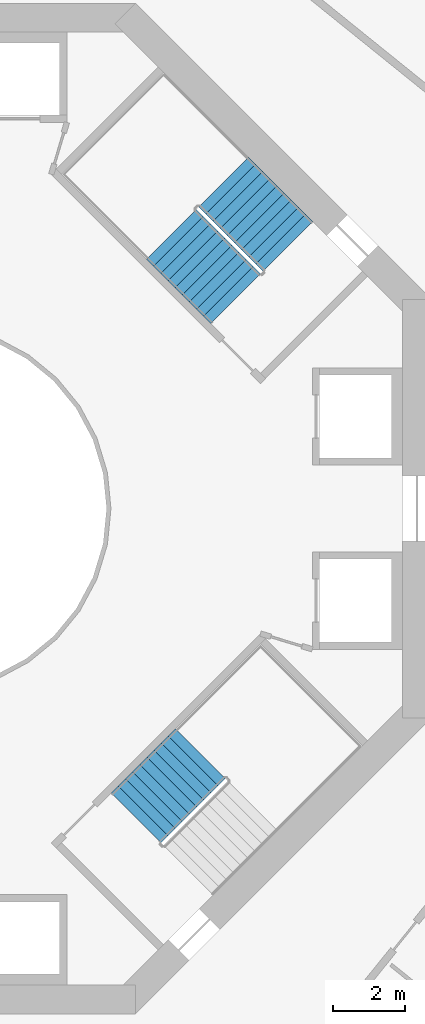
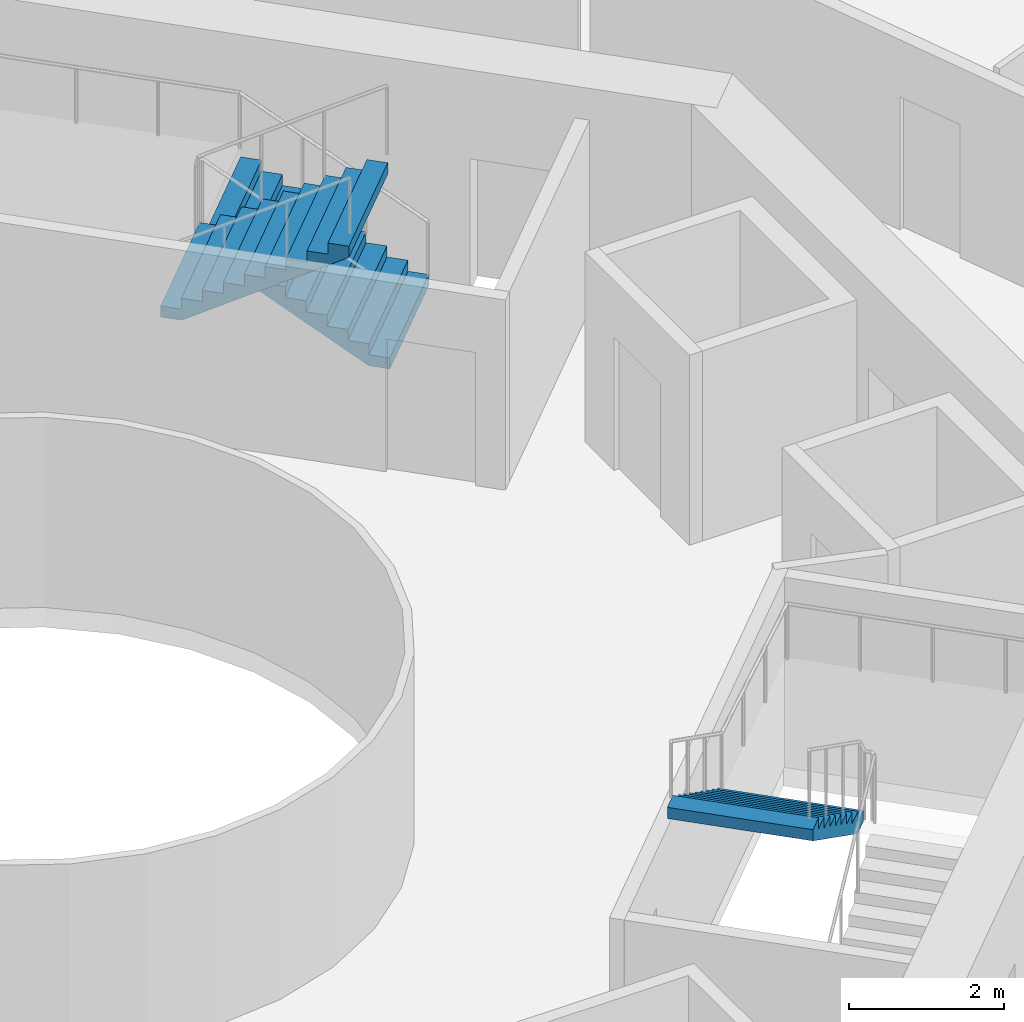
# One storey, part 22 of 23: 3 stair flights, 2 elements without a shape of their own.
"""IFC4 building model written with IfcOpenShell, lengths in metres."""

from ifc_helpers import new_model, si_unit, direction, frame, origin, place, context, subcontext, project, spatial, triangles, material, type_object, element, aggregate, save


model = new_model("IFC4")

# Units and contexts
model_context = context("Model", 3, precision=1e-05, world=origin(), true_north=direction((0.0, 1.0)))
body_context = subcontext(model_context, "Body", "Model", "MODEL_VIEW")
ifc_project = project(units=[si_unit("LENGTHUNIT", "METRE"), si_unit("AREAUNIT", "SQUARE_METRE"), si_unit("VOLUMEUNIT", "CUBIC_METRE"), si_unit("PLANEANGLEUNIT", "RADIAN"), si_unit("MASSUNIT", "GRAM", prefix="KILO")], contexts=[model_context])

# Site, building, storey
site_placement = place(None, origin())
site = spatial("IfcSite", under=ifc_project, at=site_placement, CompositionType="ELEMENT")
building_placement = place(site_placement, origin())
building = spatial("IfcBuilding", under=site, at=building_placement, Name="Verdalira Terraces Hotel", CompositionType="ELEMENT")
storey_placement = place(building_placement, frame((0.0, 0.0, 118.5)))
storey = spatial("IfcBuildingStorey", under=building, at=storey_placement, Name="L28", CompositionType="ELEMENT", Elevation=118.5)

# Stair, stair flights
ifc_material_1 = material(Name="Concrete C40", Category="concrete")
stair_type = type_object("IfcStairType", Name="Core stair 20 risers 1950 mm wide", PredefinedType="HALF_TURN_STAIR", material=ifc_material_1)
stair_1_placement = place(storey_placement, origin())
stair_1 = element("IfcStair", 1, at=stair_1_placement, inside=storey, type_object=stair_type, Name="L28 Exit stair ST1", PredefinedType="HALF_TURN_STAIR")
ifc_material_2 = material(Name="Concrete C40", Category="concrete")
stair_flight_type = type_object("IfcStairFlightType", Name="Core stair flight 20 risers 1950 mm wide", PredefinedType="STRAIGHT", material=ifc_material_2)
stair_flight_1_placement = place(storey_placement, frame((10.023193, 7.265625, 0.0), z_axis=(0.0, 0.0, 1.0), x_axis=(-0.707106781, 0.707106781, 0.0)))
stair_flight_1 = element("IfcStairFlight", 2, at=stair_flight_1_placement, type_object=stair_flight_type, Name="ST1 flight 1", NumberOfRisers=10, NumberOfTreads=9, PredefinedType="STRAIGHT", RiserHeight=0.175, TreadLength=0.28, context=body_context, shape_type="Tessellation", body=[
    triangles([(0.0, 0.974976, 0.0), (0.282715, 0.974976, 0.0), (2.52002, 0.974976, 1.398193), (0.0, -0.974976, 0.0), (0.282715, -0.974976, 0.0), (2.52002, -0.974976, 1.398193), (2.52002, 0.974976, 1.574951), (2.23999, 0.974976, 1.574951), (2.52002, -0.974976, 1.574951), (2.23999, -0.974976, 1.574951), (2.23999, 0.974976, 1.399902), (2.23999, -0.974976, 1.399902), (1.959961, 0.974976, 1.399902), (1.959961, -0.974976, 1.399902), (1.959961, 0.974976, 1.225098), (1.959961, -0.974976, 1.225098), (1.679932, 0.974976, 1.225098), (1.679932, 0.974976, 1.050049), (1.679932, -0.974976, 1.225098), (1.679932, -0.974976, 1.050049), (1.399902, 0.974976, 1.050049), (1.399902, 0.974976, 0.875), (1.399902, -0.974976, 1.050049), (1.399902, -0.974976, 0.875), (1.120117, 0.974976, 0.875), (1.120117, 0.974976, 0.699951), (1.120117, -0.974976, 0.875), (1.120117, -0.974976, 0.699951), (0.840088, 0.974976, 0.699951), (0.840088, 0.974976, 0.524902), (0.840088, -0.974976, 0.699951), (0.840088, -0.974976, 0.524902), (0.560059, 0.974976, 0.524902), (0.560059, 0.974976, 0.350098), (0.560059, -0.974976, 0.524902), (0.560059, -0.974976, 0.350098), (0.280029, 0.974976, 0.350098), (0.280029, 0.974976, 0.175049), (0.280029, -0.974976, 0.350098), (0.280029, -0.974976, 0.175049), (0.0, 0.974976, 0.175049), (0.0, -0.974976, 0.175049), (0.0, -0.91404, 0.0), (0.0, -0.91404, 0.175049), (0.0, -0.853104, 0.0), (0.0, -0.853104, 0.175049), (0.0, -0.792168, 0.0), (0.0, -0.792168, 0.175049), (0.0, -0.731232, 0.0), (0.0, -0.731232, 0.175049), (0.0, -0.670296, 0.0), (0.0, -0.670296, 0.175049), (0.0, -0.60936, 0.0), (0.0, -0.60936, 0.175049), (0.0, -0.548424, 0.0), (0.0, -0.548424, 0.175049), (0.0, -0.487488, 0.0), (0.0, -0.487488, 0.175049), (0.0, -0.426552, 0.0), (0.0, -0.426552, 0.175049), (0.0, -0.365616, 0.0), (0.0, -0.365616, 0.175049), (0.0, -0.30468, 0.0), (0.0, -0.30468, 0.175049), (0.0, -0.243744, 0.0), (0.0, -0.243744, 0.175049), (0.0, -0.182808, 0.0), (0.0, -0.182808, 0.175049), (0.0, -0.121872, 0.0), (0.0, -0.121872, 0.175049), (0.0, -0.060936, 0.0), (0.0, -0.060936, 0.175049), (0.0, 0.0, 0.0), (0.0, 0.0, 0.175049), (0.0, 0.060936, 0.0), (0.0, 0.060936, 0.175049), (0.0, 0.121872, 0.0), (0.0, 0.121872, 0.175049), (0.0, 0.182808, 0.0), (0.0, 0.182808, 0.175049), (0.0, 0.243744, 0.0), (0.0, 0.243744, 0.175049), (0.0, 0.30468, 0.0), (0.0, 0.30468, 0.175049), (0.0, 0.365616, 0.0), (0.0, 0.365616, 0.175049), (0.0, 0.426552, 0.0), (0.0, 0.426552, 0.175049), (0.0, 0.487488, 0.0), (0.0, 0.487488, 0.175049), (0.0, 0.548424, 0.0), (0.0, 0.548424, 0.175049), (0.0, 0.60936, 0.0), (0.0, 0.60936, 0.175049), (0.0, 0.670296, 0.0), (0.0, 0.670296, 0.175049), (0.0, 0.731232, 0.0), (0.0, 0.731232, 0.175049), (0.0, 0.792168, 0.0), (0.0, 0.792168, 0.175049), (0.0, 0.853104, 0.0), (0.0, 0.853104, 0.175049), (0.0, 0.91404, 0.0), (0.0, 0.91404, 0.175049), (2.52002, -0.91404, 1.574951), (2.52002, -0.853104, 1.574951), (2.52002, -0.792168, 1.574951), (2.52002, -0.731232, 1.574951), (2.52002, -0.670296, 1.574951), (2.52002, -0.60936, 1.574951), (2.52002, -0.548424, 1.574951), (2.52002, -0.487488, 1.574951), (2.52002, -0.426552, 1.574951), (2.52002, -0.365616, 1.574951), (2.52002, -0.30468, 1.574951), (2.52002, -0.243744, 1.574951), (2.52002, -0.182808, 1.574951), (2.52002, -0.121872, 1.574951), (2.52002, -0.060936, 1.574951), (2.52002, 0.0, 1.574951), (2.52002, 0.060936, 1.574951), (2.52002, 0.121872, 1.574951), (2.52002, 0.182808, 1.574951), (2.52002, 0.243744, 1.574951), (2.52002, 0.30468, 1.574951), (2.52002, 0.365616, 1.574951), (2.52002, 0.426552, 1.574951), (2.52002, 0.487488, 1.574951), (2.52002, 0.548424, 1.574951), (2.52002, 0.60936, 1.574951), (2.52002, 0.670296, 1.574951), (2.52002, 0.731232, 1.574951), (2.52002, 0.792168, 1.574951), (2.52002, 0.853104, 1.574951), (2.52002, 0.91404, 1.574951), (2.52002, -0.91404, 1.398193), (2.52002, -0.853104, 1.398193), (2.52002, -0.792168, 1.398193), (2.52002, -0.731232, 1.398193), (2.52002, -0.670296, 1.398193), (2.52002, -0.60936, 1.398193), (2.52002, -0.548424, 1.398193), (2.52002, -0.487488, 1.398193), (2.52002, -0.426552, 1.398193), (2.52002, -0.365616, 1.398193), (2.52002, -0.30468, 1.398193), (2.52002, -0.243744, 1.398193), (2.52002, -0.182808, 1.398193), (2.52002, -0.121872, 1.398193), (2.52002, -0.060936, 1.398193), (2.52002, 0.0, 1.398193), (2.52002, 0.060936, 1.398193), (2.52002, 0.121872, 1.398193), (2.52002, 0.182808, 1.398193), (2.52002, 0.243744, 1.398193), (2.52002, 0.30468, 1.398193), (2.52002, 0.365616, 1.398193), (2.52002, 0.426552, 1.398193), (2.52002, 0.487488, 1.398193), (2.52002, 0.548424, 1.398193), (2.52002, 0.60936, 1.398193), (2.52002, 0.670296, 1.398193), (2.52002, 0.731232, 1.398193), (2.52002, 0.792168, 1.398193), (2.52002, 0.853104, 1.398193), (2.52002, 0.91404, 1.398193)], [[1, 3, 2], [4, 5, 6], [3, 8, 7], [6, 9, 10], [3, 11, 8], [6, 10, 12], [3, 13, 11], [6, 12, 14], [3, 15, 13], [6, 14, 16], [15, 18, 17], [16, 19, 20], [3, 18, 15], [6, 16, 20], [18, 22, 21], [20, 23, 24], [3, 22, 18], [6, 20, 24], [22, 26, 25], [24, 27, 28], [3, 26, 22], [6, 24, 28], [26, 30, 29], [28, 31, 32], [3, 30, 26], [6, 28, 32], [1, 30, 3], [4, 6, 32], [30, 34, 33], [32, 35, 36], [34, 38, 37], [36, 39, 40], [30, 38, 34], [32, 36, 40], [1, 38, 30], [4, 32, 40], [38, 1, 41], [40, 42, 4], [4, 44, 43], [4, 42, 44], [43, 46, 45], [43, 44, 46], [45, 48, 47], [45, 46, 48], [47, 50, 49], [47, 48, 50], [49, 52, 51], [49, 50, 52], [51, 54, 53], [51, 52, 54], [53, 56, 55], [53, 54, 56], [55, 58, 57], [55, 56, 58], [57, 60, 59], [57, 58, 60], [59, 62, 61], [59, 60, 62], [61, 64, 63], [61, 62, 64], [63, 66, 65], [63, 64, 66], [65, 68, 67], [65, 66, 68], [67, 70, 69], [67, 68, 70], [69, 72, 71], [69, 70, 72], [71, 74, 73], [71, 72, 74], [73, 76, 75], [73, 74, 76], [75, 78, 77], [75, 76, 78], [77, 80, 79], [77, 78, 80], [79, 82, 81], [79, 80, 82], [81, 84, 83], [81, 82, 84], [83, 86, 85], [83, 84, 86], [85, 88, 87], [85, 86, 88], [87, 90, 89], [87, 88, 90], [89, 92, 91], [89, 90, 92], [91, 94, 93], [91, 92, 94], [93, 96, 95], [93, 94, 96], [95, 98, 97], [95, 96, 98], [97, 100, 99], [97, 98, 100], [99, 102, 101], [99, 100, 102], [101, 104, 103], [101, 102, 104], [103, 41, 1], [103, 104, 41], [42, 40, 44], [44, 40, 46], [46, 40, 48], [48, 40, 50], [50, 40, 52], [52, 40, 54], [54, 40, 56], [56, 40, 58], [58, 40, 60], [60, 40, 62], [62, 40, 64], [64, 40, 66], [66, 40, 68], [68, 40, 70], [70, 40, 72], [72, 40, 74], [74, 40, 76], [76, 40, 78], [78, 40, 80], [80, 40, 82], [82, 40, 84], [84, 40, 86], [86, 40, 88], [88, 40, 90], [90, 40, 92], [92, 40, 94], [94, 40, 96], [96, 40, 98], [98, 40, 100], [100, 40, 102], [102, 40, 104], [104, 40, 41], [41, 40, 38], [40, 37, 38], [40, 39, 37], [39, 34, 37], [39, 36, 34], [36, 33, 34], [36, 35, 33], [35, 30, 33], [35, 32, 30], [32, 29, 30], [32, 31, 29], [31, 26, 29], [31, 28, 26], [28, 25, 26], [28, 27, 25], [27, 22, 25], [27, 24, 22], [24, 21, 22], [24, 23, 21], [23, 18, 21], [23, 20, 18], [20, 17, 18], [20, 19, 17], [19, 15, 17], [19, 16, 15], [16, 13, 15], [16, 14, 13], [14, 11, 13], [14, 12, 11], [12, 8, 11], [12, 10, 8], [9, 105, 10], [105, 106, 10], [106, 107, 10], [107, 108, 10], [108, 109, 10], [109, 110, 10], [110, 111, 10], [111, 112, 10], [112, 113, 10], [113, 114, 10], [114, 115, 10], [115, 116, 10], [116, 117, 10], [117, 118, 10], [118, 119, 10], [119, 120, 10], [120, 121, 10], [121, 122, 10], [122, 123, 10], [123, 124, 10], [124, 125, 10], [125, 126, 10], [126, 127, 10], [127, 128, 10], [128, 129, 10], [129, 130, 10], [130, 131, 10], [131, 132, 10], [132, 133, 10], [133, 134, 10], [134, 135, 10], [135, 7, 10], [7, 8, 10], [9, 136, 105], [9, 6, 136], [105, 137, 106], [105, 136, 137], [106, 138, 107], [106, 137, 138], [107, 139, 108], [107, 138, 139], [108, 140, 109], [108, 139, 140], [109, 141, 110], [109, 140, 141], [110, 142, 111], [110, 141, 142], [111, 143, 112], [111, 142, 143], [112, 144, 113], [112, 143, 144], [113, 145, 114], [113, 144, 145], [114, 146, 115], [114, 145, 146], [115, 147, 116], [115, 146, 147], [116, 148, 117], [116, 147, 148], [117, 149, 118], [117, 148, 149], [118, 150, 119], [118, 149, 150], [119, 151, 120], [119, 150, 151], [120, 152, 121], [120, 151, 152], [121, 153, 122], [121, 152, 153], [122, 154, 123], [122, 153, 154], [123, 155, 124], [123, 154, 155], [124, 156, 125], [124, 155, 156], [125, 157, 126], [125, 156, 157], [126, 158, 127], [126, 157, 158], [127, 159, 128], [127, 158, 159], [128, 160, 129], [128, 159, 160], [129, 161, 130], [129, 160, 161], [130, 162, 131], [130, 161, 162], [131, 163, 132], [131, 162, 163], [132, 164, 133], [132, 163, 164], [133, 165, 134], [133, 164, 165], [134, 166, 135], [134, 165, 166], [135, 3, 7], [135, 166, 3], [6, 5, 136], [136, 5, 137], [137, 5, 138], [138, 5, 139], [139, 5, 140], [140, 5, 141], [141, 5, 142], [142, 5, 143], [143, 5, 144], [144, 5, 145], [145, 5, 146], [146, 5, 147], [147, 5, 148], [148, 5, 149], [149, 5, 150], [150, 5, 151], [151, 5, 152], [152, 5, 153], [153, 5, 154], [154, 5, 155], [155, 5, 156], [156, 5, 157], [157, 5, 158], [158, 5, 159], [159, 5, 160], [160, 5, 161], [161, 5, 162], [162, 5, 163], [163, 5, 164], [164, 5, 165], [165, 5, 166], [166, 5, 3], [3, 5, 2], [4, 43, 5], [43, 45, 5], [45, 47, 5], [47, 49, 5], [49, 51, 5], [51, 53, 5], [53, 55, 5], [55, 57, 5], [57, 59, 5], [59, 61, 5], [61, 63, 5], [63, 65, 5], [65, 67, 5], [67, 69, 5], [69, 71, 5], [71, 73, 5], [73, 75, 5], [75, 77, 5], [77, 79, 5], [79, 81, 5], [81, 83, 5], [83, 85, 5], [85, 87, 5], [87, 89, 5], [89, 91, 5], [91, 93, 5], [93, 95, 5], [95, 97, 5], [97, 99, 5], [99, 101, 5], [101, 103, 5], [103, 1, 5], [1, 2, 5]], closed=True),
])
stair_flight_2_placement = place(storey_placement, frame((6.791748, 7.5979, 1.75), z_axis=(0.0, 0.0, 1.0), x_axis=(0.707106781, -0.707106781, 0.0)))
stair_flight_2 = element("IfcStairFlight", 3, at=stair_flight_2_placement, type_object=stair_flight_type, Name="ST1 flight 2", NumberOfRisers=10, NumberOfTreads=9, PredefinedType="STRAIGHT", RiserHeight=0.175, TreadLength=0.28, context=body_context, shape_type="Tessellation", body=[
    triangles([(0.0, 0.974976, 0.0), (0.282715, 0.974976, 0.0), (2.52002, 0.974976, 1.398193), (0.0, -0.974976, 0.0), (0.282715, -0.974976, 0.0), (2.52002, -0.974976, 1.398193), (2.52002, 0.974976, 1.574951), (2.23999, 0.974976, 1.574951), (2.52002, -0.974976, 1.574951), (2.23999, -0.974976, 1.574951), (2.23999, 0.974976, 1.399902), (2.23999, -0.974976, 1.399902), (1.959961, 0.974976, 1.399902), (1.959961, -0.974976, 1.399902), (1.959961, 0.974976, 1.225098), (1.959961, -0.974976, 1.225098), (1.679932, 0.974976, 1.225098), (1.679932, 0.974976, 1.050049), (1.679932, -0.974976, 1.225098), (1.679932, -0.974976, 1.050049), (1.399902, 0.974976, 1.050049), (1.399902, 0.974976, 0.875), (1.399902, -0.974976, 1.050049), (1.399902, -0.974976, 0.875), (1.120117, 0.974976, 0.875), (1.120117, 0.974976, 0.699951), (1.120117, -0.974976, 0.875), (1.120117, -0.974976, 0.699951), (0.840088, 0.974976, 0.699951), (0.840088, 0.974976, 0.524902), (0.840088, -0.974976, 0.699951), (0.840088, -0.974976, 0.524902), (0.560059, 0.974976, 0.524902), (0.560059, 0.974976, 0.350098), (0.560059, -0.974976, 0.524902), (0.560059, -0.974976, 0.350098), (0.280029, 0.974976, 0.350098), (0.280029, 0.974976, 0.175049), (0.280029, -0.974976, 0.350098), (0.280029, -0.974976, 0.175049), (0.0, 0.974976, 0.175049), (0.0, -0.974976, 0.175049), (0.0, -0.91404, 0.0), (0.0, -0.91404, 0.175049), (0.0, -0.853104, 0.0), (0.0, -0.853104, 0.175049), (0.0, -0.792168, 0.0), (0.0, -0.792168, 0.175049), (0.0, -0.731232, 0.0), (0.0, -0.731232, 0.175049), (0.0, -0.670296, 0.0), (0.0, -0.670296, 0.175049), (0.0, -0.60936, 0.0), (0.0, -0.60936, 0.175049), (0.0, -0.548424, 0.0), (0.0, -0.548424, 0.175049), (0.0, -0.487488, 0.0), (0.0, -0.487488, 0.175049), (0.0, -0.426552, 0.0), (0.0, -0.426552, 0.175049), (0.0, -0.365616, 0.0), (0.0, -0.365616, 0.175049), (0.0, -0.30468, 0.0), (0.0, -0.30468, 0.175049), (0.0, -0.243744, 0.0), (0.0, -0.243744, 0.175049), (0.0, -0.182808, 0.0), (0.0, -0.182808, 0.175049), (0.0, -0.121872, 0.0), (0.0, -0.121872, 0.175049), (0.0, -0.060936, 0.0), (0.0, -0.060936, 0.175049), (0.0, 0.0, 0.0), (0.0, 0.0, 0.175049), (0.0, 0.060936, 0.0), (0.0, 0.060936, 0.175049), (0.0, 0.121872, 0.0), (0.0, 0.121872, 0.175049), (0.0, 0.182808, 0.0), (0.0, 0.182808, 0.175049), (0.0, 0.243744, 0.0), (0.0, 0.243744, 0.175049), (0.0, 0.30468, 0.0), (0.0, 0.30468, 0.175049), (0.0, 0.365616, 0.0), (0.0, 0.365616, 0.175049), (0.0, 0.426552, 0.0), (0.0, 0.426552, 0.175049), (0.0, 0.487488, 0.0), (0.0, 0.487488, 0.175049), (0.0, 0.548424, 0.0), (0.0, 0.548424, 0.175049), (0.0, 0.60936, 0.0), (0.0, 0.60936, 0.175049), (0.0, 0.670296, 0.0), (0.0, 0.670296, 0.175049), (0.0, 0.731232, 0.0), (0.0, 0.731232, 0.175049), (0.0, 0.792168, 0.0), (0.0, 0.792168, 0.175049), (0.0, 0.853104, 0.0), (0.0, 0.853104, 0.175049), (0.0, 0.91404, 0.0), (0.0, 0.91404, 0.175049), (2.52002, -0.91404, 1.574951), (2.52002, -0.853104, 1.574951), (2.52002, -0.792168, 1.574951), (2.52002, -0.731232, 1.574951), (2.52002, -0.670296, 1.574951), (2.52002, -0.60936, 1.574951), (2.52002, -0.548424, 1.574951), (2.52002, -0.487488, 1.574951), (2.52002, -0.426552, 1.574951), (2.52002, -0.365616, 1.574951), (2.52002, -0.30468, 1.574951), (2.52002, -0.243744, 1.574951), (2.52002, -0.182808, 1.574951), (2.52002, -0.121872, 1.574951), (2.52002, -0.060936, 1.574951), (2.52002, 0.0, 1.574951), (2.52002, 0.060936, 1.574951), (2.52002, 0.121872, 1.574951), (2.52002, 0.182808, 1.574951), (2.52002, 0.243744, 1.574951), (2.52002, 0.30468, 1.574951), (2.52002, 0.365616, 1.574951), (2.52002, 0.426552, 1.574951), (2.52002, 0.487488, 1.574951), (2.52002, 0.548424, 1.574951), (2.52002, 0.60936, 1.574951), (2.52002, 0.670296, 1.574951), (2.52002, 0.731232, 1.574951), (2.52002, 0.792168, 1.574951), (2.52002, 0.853104, 1.574951), (2.52002, 0.91404, 1.574951), (2.52002, -0.91404, 1.398193), (2.52002, -0.853104, 1.398193), (2.52002, -0.792168, 1.398193), (2.52002, -0.731232, 1.398193), (2.52002, -0.670296, 1.398193), (2.52002, -0.60936, 1.398193), (2.52002, -0.548424, 1.398193), (2.52002, -0.487488, 1.398193), (2.52002, -0.426552, 1.398193), (2.52002, -0.365616, 1.398193), (2.52002, -0.30468, 1.398193), (2.52002, -0.243744, 1.398193), (2.52002, -0.182808, 1.398193), (2.52002, -0.121872, 1.398193), (2.52002, -0.060936, 1.398193), (2.52002, 0.0, 1.398193), (2.52002, 0.060936, 1.398193), (2.52002, 0.121872, 1.398193), (2.52002, 0.182808, 1.398193), (2.52002, 0.243744, 1.398193), (2.52002, 0.30468, 1.398193), (2.52002, 0.365616, 1.398193), (2.52002, 0.426552, 1.398193), (2.52002, 0.487488, 1.398193), (2.52002, 0.548424, 1.398193), (2.52002, 0.60936, 1.398193), (2.52002, 0.670296, 1.398193), (2.52002, 0.731232, 1.398193), (2.52002, 0.792168, 1.398193), (2.52002, 0.853104, 1.398193), (2.52002, 0.91404, 1.398193)], [[1, 3, 2], [4, 5, 6], [3, 8, 7], [6, 9, 10], [3, 11, 8], [6, 10, 12], [3, 13, 11], [6, 12, 14], [3, 15, 13], [6, 14, 16], [15, 18, 17], [16, 19, 20], [3, 18, 15], [6, 16, 20], [18, 22, 21], [20, 23, 24], [3, 22, 18], [6, 20, 24], [22, 26, 25], [24, 27, 28], [3, 26, 22], [6, 24, 28], [26, 30, 29], [28, 31, 32], [3, 30, 26], [6, 28, 32], [1, 30, 3], [4, 6, 32], [30, 34, 33], [32, 35, 36], [34, 38, 37], [36, 39, 40], [30, 38, 34], [32, 36, 40], [1, 38, 30], [4, 32, 40], [38, 1, 41], [40, 42, 4], [4, 44, 43], [4, 42, 44], [43, 46, 45], [43, 44, 46], [45, 48, 47], [45, 46, 48], [47, 50, 49], [47, 48, 50], [49, 52, 51], [49, 50, 52], [51, 54, 53], [51, 52, 54], [53, 56, 55], [53, 54, 56], [55, 58, 57], [55, 56, 58], [57, 60, 59], [57, 58, 60], [59, 62, 61], [59, 60, 62], [61, 64, 63], [61, 62, 64], [63, 66, 65], [63, 64, 66], [65, 68, 67], [65, 66, 68], [67, 70, 69], [67, 68, 70], [69, 72, 71], [69, 70, 72], [71, 74, 73], [71, 72, 74], [73, 76, 75], [73, 74, 76], [75, 78, 77], [75, 76, 78], [77, 80, 79], [77, 78, 80], [79, 82, 81], [79, 80, 82], [81, 84, 83], [81, 82, 84], [83, 86, 85], [83, 84, 86], [85, 88, 87], [85, 86, 88], [87, 90, 89], [87, 88, 90], [89, 92, 91], [89, 90, 92], [91, 94, 93], [91, 92, 94], [93, 96, 95], [93, 94, 96], [95, 98, 97], [95, 96, 98], [97, 100, 99], [97, 98, 100], [99, 102, 101], [99, 100, 102], [101, 104, 103], [101, 102, 104], [103, 41, 1], [103, 104, 41], [42, 40, 44], [44, 40, 46], [46, 40, 48], [48, 40, 50], [50, 40, 52], [52, 40, 54], [54, 40, 56], [56, 40, 58], [58, 40, 60], [60, 40, 62], [62, 40, 64], [64, 40, 66], [66, 40, 68], [68, 40, 70], [70, 40, 72], [72, 40, 74], [74, 40, 76], [76, 40, 78], [78, 40, 80], [80, 40, 82], [82, 40, 84], [84, 40, 86], [86, 40, 88], [88, 40, 90], [90, 40, 92], [92, 40, 94], [94, 40, 96], [96, 40, 98], [98, 40, 100], [100, 40, 102], [102, 40, 104], [104, 40, 41], [41, 40, 38], [40, 37, 38], [40, 39, 37], [39, 34, 37], [39, 36, 34], [36, 33, 34], [36, 35, 33], [35, 30, 33], [35, 32, 30], [32, 29, 30], [32, 31, 29], [31, 26, 29], [31, 28, 26], [28, 25, 26], [28, 27, 25], [27, 22, 25], [27, 24, 22], [24, 21, 22], [24, 23, 21], [23, 18, 21], [23, 20, 18], [20, 17, 18], [20, 19, 17], [19, 15, 17], [19, 16, 15], [16, 13, 15], [16, 14, 13], [14, 11, 13], [14, 12, 11], [12, 8, 11], [12, 10, 8], [9, 105, 10], [105, 106, 10], [106, 107, 10], [107, 108, 10], [108, 109, 10], [109, 110, 10], [110, 111, 10], [111, 112, 10], [112, 113, 10], [113, 114, 10], [114, 115, 10], [115, 116, 10], [116, 117, 10], [117, 118, 10], [118, 119, 10], [119, 120, 10], [120, 121, 10], [121, 122, 10], [122, 123, 10], [123, 124, 10], [124, 125, 10], [125, 126, 10], [126, 127, 10], [127, 128, 10], [128, 129, 10], [129, 130, 10], [130, 131, 10], [131, 132, 10], [132, 133, 10], [133, 134, 10], [134, 135, 10], [135, 7, 10], [7, 8, 10], [9, 136, 105], [9, 6, 136], [105, 137, 106], [105, 136, 137], [106, 138, 107], [106, 137, 138], [107, 139, 108], [107, 138, 139], [108, 140, 109], [108, 139, 140], [109, 141, 110], [109, 140, 141], [110, 142, 111], [110, 141, 142], [111, 143, 112], [111, 142, 143], [112, 144, 113], [112, 143, 144], [113, 145, 114], [113, 144, 145], [114, 146, 115], [114, 145, 146], [115, 147, 116], [115, 146, 147], [116, 148, 117], [116, 147, 148], [117, 149, 118], [117, 148, 149], [118, 150, 119], [118, 149, 150], [119, 151, 120], [119, 150, 151], [120, 152, 121], [120, 151, 152], [121, 153, 122], [121, 152, 153], [122, 154, 123], [122, 153, 154], [123, 155, 124], [123, 154, 155], [124, 156, 125], [124, 155, 156], [125, 157, 126], [125, 156, 157], [126, 158, 127], [126, 157, 158], [127, 159, 128], [127, 158, 159], [128, 160, 129], [128, 159, 160], [129, 161, 130], [129, 160, 161], [130, 162, 131], [130, 161, 162], [131, 163, 132], [131, 162, 163], [132, 164, 133], [132, 163, 164], [133, 165, 134], [133, 164, 165], [134, 166, 135], [134, 165, 166], [135, 3, 7], [135, 166, 3], [6, 5, 136], [136, 5, 137], [137, 5, 138], [138, 5, 139], [139, 5, 140], [140, 5, 141], [141, 5, 142], [142, 5, 143], [143, 5, 144], [144, 5, 145], [145, 5, 146], [146, 5, 147], [147, 5, 148], [148, 5, 149], [149, 5, 150], [150, 5, 151], [151, 5, 152], [152, 5, 153], [153, 5, 154], [154, 5, 155], [155, 5, 156], [156, 5, 157], [157, 5, 158], [158, 5, 159], [159, 5, 160], [160, 5, 161], [161, 5, 162], [162, 5, 163], [163, 5, 164], [164, 5, 165], [165, 5, 166], [166, 5, 3], [3, 5, 2], [4, 43, 5], [43, 45, 5], [45, 47, 5], [47, 49, 5], [49, 51, 5], [51, 53, 5], [53, 55, 5], [55, 57, 5], [57, 59, 5], [59, 61, 5], [61, 63, 5], [63, 65, 5], [65, 67, 5], [67, 69, 5], [69, 71, 5], [71, 73, 5], [73, 75, 5], [75, 77, 5], [77, 79, 5], [79, 81, 5], [81, 83, 5], [83, 85, 5], [85, 87, 5], [87, 89, 5], [89, 91, 5], [91, 93, 5], [93, 95, 5], [95, 97, 5], [97, 99, 5], [99, 101, 5], [101, 103, 5], [103, 1, 5], [1, 2, 5]], closed=True),
])
aggregate(stair_1, [stair_flight_1, stair_flight_2])

# Stair, stair flight
stair_2_placement = place(storey_placement, origin())
stair_2 = element("IfcStair", 4, at=stair_2_placement, inside=storey, type_object=stair_type, Name="L28 Exit stair ST3", PredefinedType="HALF_TURN_STAIR")
stair_flight_3_placement = place(storey_placement, frame((7.5979, -6.791748, 1.75), z_axis=(0.0, 0.0, 1.0), x_axis=(-0.707106781, -0.707106781, 0.0)))
stair_flight_3 = element("IfcStairFlight", 5, at=stair_flight_3_placement, type_object=stair_flight_type, Name="ST3 flight 2", NumberOfRisers=10, NumberOfTreads=9, PredefinedType="STRAIGHT", RiserHeight=0.175, TreadLength=0.28, context=body_context, shape_type="Tessellation", body=[
    triangles([(0.0, 0.974976, 0.0), (0.282715, 0.974976, 0.0), (2.52002, 0.974976, 1.398193), (0.0, -0.974976, 0.0), (0.282715, -0.974976, 0.0), (2.52002, -0.974976, 1.398193), (2.52002, 0.974976, 1.574951), (2.23999, 0.974976, 1.574951), (2.52002, -0.974976, 1.574951), (2.23999, -0.974976, 1.574951), (2.23999, 0.974976, 1.399902), (2.23999, -0.974976, 1.399902), (1.959961, 0.974976, 1.399902), (1.959961, -0.974976, 1.399902), (1.959961, 0.974976, 1.225098), (1.959961, -0.974976, 1.225098), (1.679932, 0.974976, 1.225098), (1.679932, 0.974976, 1.050049), (1.679932, -0.974976, 1.225098), (1.679932, -0.974976, 1.050049), (1.399902, 0.974976, 1.050049), (1.399902, 0.974976, 0.875), (1.399902, -0.974976, 1.050049), (1.399902, -0.974976, 0.875), (1.120117, 0.974976, 0.875), (1.120117, 0.974976, 0.699951), (1.120117, -0.974976, 0.875), (1.120117, -0.974976, 0.699951), (0.840088, 0.974976, 0.699951), (0.840088, 0.974976, 0.524902), (0.840088, -0.974976, 0.699951), (0.840088, -0.974976, 0.524902), (0.560059, 0.974976, 0.524902), (0.560059, 0.974976, 0.350098), (0.560059, -0.974976, 0.524902), (0.560059, -0.974976, 0.350098), (0.280029, 0.974976, 0.350098), (0.280029, 0.974976, 0.175049), (0.280029, -0.974976, 0.350098), (0.280029, -0.974976, 0.175049), (0.0, 0.974976, 0.175049), (0.0, -0.974976, 0.175049), (0.0, -0.91404, 0.0), (0.0, -0.91404, 0.175049), (0.0, -0.853104, 0.0), (0.0, -0.853104, 0.175049), (0.0, -0.792168, 0.0), (0.0, -0.792168, 0.175049), (0.0, -0.731232, 0.0), (0.0, -0.731232, 0.175049), (0.0, -0.670296, 0.0), (0.0, -0.670296, 0.175049), (0.0, -0.60936, 0.0), (0.0, -0.60936, 0.175049), (0.0, -0.548424, 0.0), (0.0, -0.548424, 0.175049), (0.0, -0.487488, 0.0), (0.0, -0.487488, 0.175049), (0.0, -0.426552, 0.0), (0.0, -0.426552, 0.175049), (0.0, -0.365616, 0.0), (0.0, -0.365616, 0.175049), (0.0, -0.30468, 0.0), (0.0, -0.30468, 0.175049), (0.0, -0.243744, 0.0), (0.0, -0.243744, 0.175049), (0.0, -0.182808, 0.0), (0.0, -0.182808, 0.175049), (0.0, -0.121872, 0.0), (0.0, -0.121872, 0.175049), (0.0, -0.060936, 0.0), (0.0, -0.060936, 0.175049), (0.0, 0.0, 0.0), (0.0, 0.0, 0.175049), (0.0, 0.060936, 0.0), (0.0, 0.060936, 0.175049), (0.0, 0.121872, 0.0), (0.0, 0.121872, 0.175049), (0.0, 0.182808, 0.0), (0.0, 0.182808, 0.175049), (0.0, 0.243744, 0.0), (0.0, 0.243744, 0.175049), (0.0, 0.30468, 0.0), (0.0, 0.30468, 0.175049), (0.0, 0.365616, 0.0), (0.0, 0.365616, 0.175049), (0.0, 0.426552, 0.0), (0.0, 0.426552, 0.175049), (0.0, 0.487488, 0.0), (0.0, 0.487488, 0.175049), (0.0, 0.548424, 0.0), (0.0, 0.548424, 0.175049), (0.0, 0.60936, 0.0), (0.0, 0.60936, 0.175049), (0.0, 0.670296, 0.0), (0.0, 0.670296, 0.175049), (0.0, 0.731232, 0.0), (0.0, 0.731232, 0.175049), (0.0, 0.792168, 0.0), (0.0, 0.792168, 0.175049), (0.0, 0.853104, 0.0), (0.0, 0.853104, 0.175049), (0.0, 0.91404, 0.0), (0.0, 0.91404, 0.175049), (2.52002, -0.91404, 1.574951), (2.52002, -0.853104, 1.574951), (2.52002, -0.792168, 1.574951), (2.52002, -0.731232, 1.574951), (2.52002, -0.670296, 1.574951), (2.52002, -0.60936, 1.574951), (2.52002, -0.548424, 1.574951), (2.52002, -0.487488, 1.574951), (2.52002, -0.426552, 1.574951), (2.52002, -0.365616, 1.574951), (2.52002, -0.30468, 1.574951), (2.52002, -0.243744, 1.574951), (2.52002, -0.182808, 1.574951), (2.52002, -0.121872, 1.574951), (2.52002, -0.060936, 1.574951), (2.52002, 0.0, 1.574951), (2.52002, 0.060936, 1.574951), (2.52002, 0.121872, 1.574951), (2.52002, 0.182808, 1.574951), (2.52002, 0.243744, 1.574951), (2.52002, 0.30468, 1.574951), (2.52002, 0.365616, 1.574951), (2.52002, 0.426552, 1.574951), (2.52002, 0.487488, 1.574951), (2.52002, 0.548424, 1.574951), (2.52002, 0.60936, 1.574951), (2.52002, 0.670296, 1.574951), (2.52002, 0.731232, 1.574951), (2.52002, 0.792168, 1.574951), (2.52002, 0.853104, 1.574951), (2.52002, 0.91404, 1.574951), (2.52002, -0.91404, 1.398193), (2.52002, -0.853104, 1.398193), (2.52002, -0.792168, 1.398193), (2.52002, -0.731232, 1.398193), (2.52002, -0.670296, 1.398193), (2.52002, -0.60936, 1.398193), (2.52002, -0.548424, 1.398193), (2.52002, -0.487488, 1.398193), (2.52002, -0.426552, 1.398193), (2.52002, -0.365616, 1.398193), (2.52002, -0.30468, 1.398193), (2.52002, -0.243744, 1.398193), (2.52002, -0.182808, 1.398193), (2.52002, -0.121872, 1.398193), (2.52002, -0.060936, 1.398193), (2.52002, 0.0, 1.398193), (2.52002, 0.060936, 1.398193), (2.52002, 0.121872, 1.398193), (2.52002, 0.182808, 1.398193), (2.52002, 0.243744, 1.398193), (2.52002, 0.30468, 1.398193), (2.52002, 0.365616, 1.398193), (2.52002, 0.426552, 1.398193), (2.52002, 0.487488, 1.398193), (2.52002, 0.548424, 1.398193), (2.52002, 0.60936, 1.398193), (2.52002, 0.670296, 1.398193), (2.52002, 0.731232, 1.398193), (2.52002, 0.792168, 1.398193), (2.52002, 0.853104, 1.398193), (2.52002, 0.91404, 1.398193)], [[1, 3, 2], [4, 5, 6], [3, 8, 7], [6, 9, 10], [3, 11, 8], [6, 10, 12], [3, 13, 11], [6, 12, 14], [3, 15, 13], [6, 14, 16], [15, 18, 17], [16, 19, 20], [3, 18, 15], [6, 16, 20], [18, 22, 21], [20, 23, 24], [3, 22, 18], [6, 20, 24], [22, 26, 25], [24, 27, 28], [3, 26, 22], [6, 24, 28], [26, 30, 29], [28, 31, 32], [3, 30, 26], [6, 28, 32], [1, 30, 3], [4, 6, 32], [30, 34, 33], [32, 35, 36], [34, 38, 37], [36, 39, 40], [30, 38, 34], [32, 36, 40], [1, 38, 30], [4, 32, 40], [38, 1, 41], [40, 42, 4], [4, 44, 43], [4, 42, 44], [43, 46, 45], [43, 44, 46], [45, 48, 47], [45, 46, 48], [47, 50, 49], [47, 48, 50], [49, 52, 51], [49, 50, 52], [51, 54, 53], [51, 52, 54], [53, 56, 55], [53, 54, 56], [55, 58, 57], [55, 56, 58], [57, 60, 59], [57, 58, 60], [59, 62, 61], [59, 60, 62], [61, 64, 63], [61, 62, 64], [63, 66, 65], [63, 64, 66], [65, 68, 67], [65, 66, 68], [67, 70, 69], [67, 68, 70], [69, 72, 71], [69, 70, 72], [71, 74, 73], [71, 72, 74], [73, 76, 75], [73, 74, 76], [75, 78, 77], [75, 76, 78], [77, 80, 79], [77, 78, 80], [79, 82, 81], [79, 80, 82], [81, 84, 83], [81, 82, 84], [83, 86, 85], [83, 84, 86], [85, 88, 87], [85, 86, 88], [87, 90, 89], [87, 88, 90], [89, 92, 91], [89, 90, 92], [91, 94, 93], [91, 92, 94], [93, 96, 95], [93, 94, 96], [95, 98, 97], [95, 96, 98], [97, 100, 99], [97, 98, 100], [99, 102, 101], [99, 100, 102], [101, 104, 103], [101, 102, 104], [103, 41, 1], [103, 104, 41], [42, 40, 44], [44, 40, 46], [46, 40, 48], [48, 40, 50], [50, 40, 52], [52, 40, 54], [54, 40, 56], [56, 40, 58], [58, 40, 60], [60, 40, 62], [62, 40, 64], [64, 40, 66], [66, 40, 68], [68, 40, 70], [70, 40, 72], [72, 40, 74], [74, 40, 76], [76, 40, 78], [78, 40, 80], [80, 40, 82], [82, 40, 84], [84, 40, 86], [86, 40, 88], [88, 40, 90], [90, 40, 92], [92, 40, 94], [94, 40, 96], [96, 40, 98], [98, 40, 100], [100, 40, 102], [102, 40, 104], [104, 40, 41], [41, 40, 38], [40, 37, 38], [40, 39, 37], [39, 34, 37], [39, 36, 34], [36, 33, 34], [36, 35, 33], [35, 30, 33], [35, 32, 30], [32, 29, 30], [32, 31, 29], [31, 26, 29], [31, 28, 26], [28, 25, 26], [28, 27, 25], [27, 22, 25], [27, 24, 22], [24, 21, 22], [24, 23, 21], [23, 18, 21], [23, 20, 18], [20, 17, 18], [20, 19, 17], [19, 15, 17], [19, 16, 15], [16, 13, 15], [16, 14, 13], [14, 11, 13], [14, 12, 11], [12, 8, 11], [12, 10, 8], [9, 105, 10], [105, 106, 10], [106, 107, 10], [107, 108, 10], [108, 109, 10], [109, 110, 10], [110, 111, 10], [111, 112, 10], [112, 113, 10], [113, 114, 10], [114, 115, 10], [115, 116, 10], [116, 117, 10], [117, 118, 10], [118, 119, 10], [119, 120, 10], [120, 121, 10], [121, 122, 10], [122, 123, 10], [123, 124, 10], [124, 125, 10], [125, 126, 10], [126, 127, 10], [127, 128, 10], [128, 129, 10], [129, 130, 10], [130, 131, 10], [131, 132, 10], [132, 133, 10], [133, 134, 10], [134, 135, 10], [135, 7, 10], [7, 8, 10], [9, 136, 105], [9, 6, 136], [105, 137, 106], [105, 136, 137], [106, 138, 107], [106, 137, 138], [107, 139, 108], [107, 138, 139], [108, 140, 109], [108, 139, 140], [109, 141, 110], [109, 140, 141], [110, 142, 111], [110, 141, 142], [111, 143, 112], [111, 142, 143], [112, 144, 113], [112, 143, 144], [113, 145, 114], [113, 144, 145], [114, 146, 115], [114, 145, 146], [115, 147, 116], [115, 146, 147], [116, 148, 117], [116, 147, 148], [117, 149, 118], [117, 148, 149], [118, 150, 119], [118, 149, 150], [119, 151, 120], [119, 150, 151], [120, 152, 121], [120, 151, 152], [121, 153, 122], [121, 152, 153], [122, 154, 123], [122, 153, 154], [123, 155, 124], [123, 154, 155], [124, 156, 125], [124, 155, 156], [125, 157, 126], [125, 156, 157], [126, 158, 127], [126, 157, 158], [127, 159, 128], [127, 158, 159], [128, 160, 129], [128, 159, 160], [129, 161, 130], [129, 160, 161], [130, 162, 131], [130, 161, 162], [131, 163, 132], [131, 162, 163], [132, 164, 133], [132, 163, 164], [133, 165, 134], [133, 164, 165], [134, 166, 135], [134, 165, 166], [135, 3, 7], [135, 166, 3], [6, 5, 136], [136, 5, 137], [137, 5, 138], [138, 5, 139], [139, 5, 140], [140, 5, 141], [141, 5, 142], [142, 5, 143], [143, 5, 144], [144, 5, 145], [145, 5, 146], [146, 5, 147], [147, 5, 148], [148, 5, 149], [149, 5, 150], [150, 5, 151], [151, 5, 152], [152, 5, 153], [153, 5, 154], [154, 5, 155], [155, 5, 156], [156, 5, 157], [157, 5, 158], [158, 5, 159], [159, 5, 160], [160, 5, 161], [161, 5, 162], [162, 5, 163], [163, 5, 164], [164, 5, 165], [165, 5, 166], [166, 5, 3], [3, 5, 2], [4, 43, 5], [43, 45, 5], [45, 47, 5], [47, 49, 5], [49, 51, 5], [51, 53, 5], [53, 55, 5], [55, 57, 5], [57, 59, 5], [59, 61, 5], [61, 63, 5], [63, 65, 5], [65, 67, 5], [67, 69, 5], [69, 71, 5], [71, 73, 5], [73, 75, 5], [75, 77, 5], [77, 79, 5], [79, 81, 5], [81, 83, 5], [83, 85, 5], [85, 87, 5], [87, 89, 5], [89, 91, 5], [91, 93, 5], [93, 95, 5], [95, 97, 5], [97, 99, 5], [99, 101, 5], [101, 103, 5], [103, 1, 5], [1, 2, 5]], closed=True),
])
aggregate(stair_2, [stair_flight_3])

save(model, "model.ifc")
